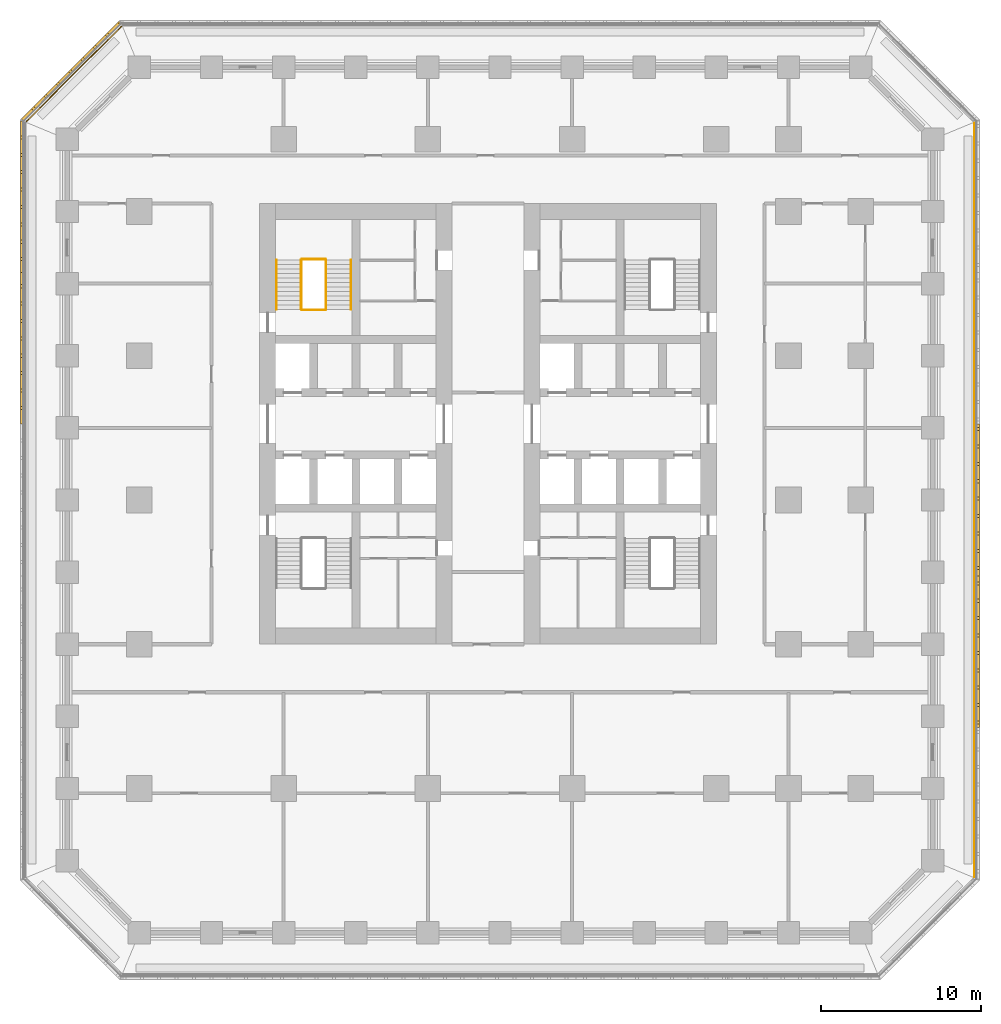
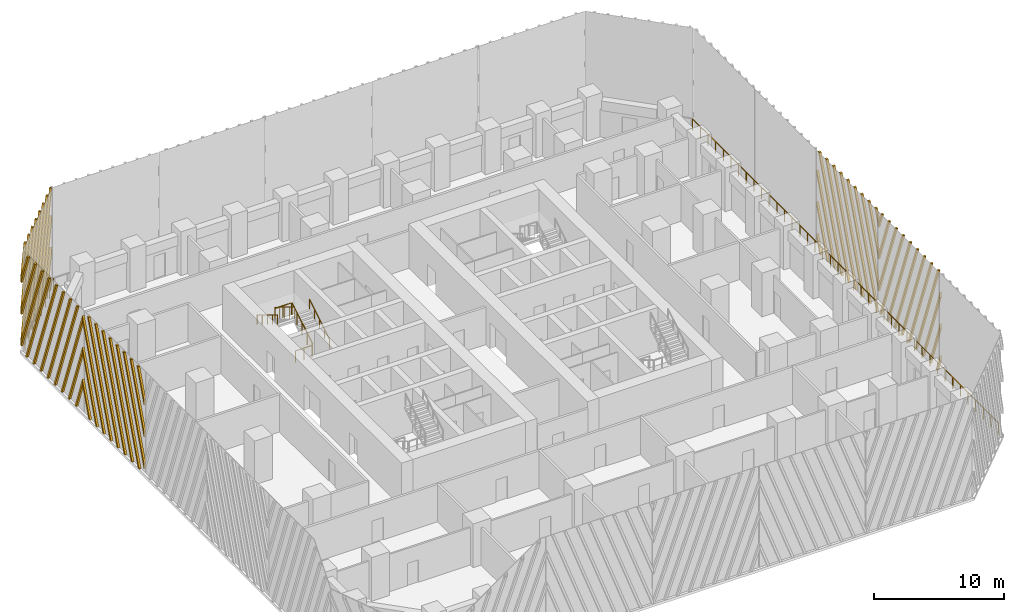
# One storey, part 10 of 13: 8 railings, 5 shading devices.
"""IFC4 building model written with IfcOpenShell, lengths in metres."""

from ifc_helpers import new_model, si_unit, direction, frame, origin, origin_2d, place, context, subcontext, project, spatial, polyline, circle, outline, extrude, source, transform, mapped, material, type_object, element, save


model = new_model("IFC4")

# Units and contexts
model_context = context("Model", 3, precision=1e-05, world=origin(), true_north=direction((0.0, 1.0)))
body_context = subcontext(model_context, "Body", "Model", "MODEL_VIEW")
ifc_project = project(units=[si_unit("LENGTHUNIT", "METRE"), si_unit("AREAUNIT", "SQUARE_METRE"), si_unit("VOLUMEUNIT", "CUBIC_METRE"), si_unit("PLANEANGLEUNIT", "RADIAN"), si_unit("MASSUNIT", "GRAM", prefix="KILO")], contexts=[model_context])

# Site, building, storey
site_placement = place(None, origin())
site = spatial("IfcSite", under=ifc_project, at=site_placement, CompositionType="ELEMENT")
building_placement = place(site_placement, origin())
building = spatial("IfcBuilding", under=site, at=building_placement, Name="Corbel Stack Research Tower", CompositionType="ELEMENT")
storey_placement = place(building_placement, frame((0.0, 0.0, 66.5)))
storey = spatial("IfcBuildingStorey", under=building, at=storey_placement, Name="L15", CompositionType="ELEMENT", Elevation=66.5)

# Railings
ifc_material_1 = material(Name="Steel S355", Category="steel")
railing_type_1 = type_object("IfcRailingType", Name="Stair guard 1100", PredefinedType="GUARDRAIL", material=ifc_material_1)
railing_1_placement = place(storey_placement, frame((-6.35009765625, 11.89990234375, 0.1708984375)))
element("IfcRailing", 1, at=railing_1_placement, inside=storey, type_object=railing_type_1, Name="L15 ST-W2 stair guard 1", PredefinedType="GUARDRAIL", context=body_context, shape_type="SweptSolid", body=[
    extrude(circle(Radius=0.02392578125, at=origin_2d()), frame((0.0, 0.0, 1.076171875), z_axis=(0.0, 0.853666305674, 0.52082035152), x_axis=(-1.0, 0.0, 0.0)), (0.0, 0.0, 1.0), 3.608154296875),
    extrude(circle(Radius=0.02099609375, at=origin_2d()), origin(), (0.0, 0.0, 1.0), 1.052001953125),
    extrude(circle(Radius=0.02099609375, at=origin_2d()), frame((0.0, 0.77001953125, 0.4697265625)), (0.0, 0.0, 1.0), 1.052001953125),
    extrude(circle(Radius=0.02099609375, at=origin_2d()), frame((0.0, 1.5400390625, 0.939453125)), (0.0, 0.0, 1.0), 1.052001953125),
    extrude(circle(Radius=0.02099609375, at=origin_2d()), frame((0.0, 2.31005859375, 1.409423828125)), (0.0, 0.0, 1.0), 1.052001953125),
    extrude(circle(Radius=0.02099609375, at=origin_2d()), frame((0.0, 3.080078125, 1.879150390625)), (0.0, 0.0, 1.0), 1.052001953125),
])
railing_2_placement = place(storey_placement, frame((-6.39990234375, 15.030029296875, 2.050048828125)))
element("IfcRailing", 2, at=railing_2_placement, inside=storey, type_object=railing_type_1, Name="L15 ST-W2 stair guard 2", PredefinedType="GUARDRAIL", context=body_context, shape_type="SweptSolid", body=[
    extrude(circle(Radius=0.02392578125, at=origin_2d()), frame((0.0, 0.0, 1.076171875), z_axis=(-1.0, 0.0, 0.0), x_axis=(0.0, -1.0, 0.0)), (0.0, 0.0, 1.0), 1.4501953125),
    extrude(circle(Radius=0.02099609375, at=origin_2d()), origin(), (0.0, 0.0, 1.0), 1.052001953125),
    extrude(circle(Radius=0.02099609375, at=origin_2d()), frame((-0.72509765625, 0.0, 0.0)), (0.0, 0.0, 1.0), 1.052001953125),
    extrude(circle(Radius=0.02099609375, at=origin_2d()), frame((-1.4501953125, 0.0, 0.0)), (0.0, 0.0, 1.0), 1.052001953125),
])
railing_3_placement = place(storey_placement, frame((-7.89990234375, 14.97998046875, 2.220947265625)))
element("IfcRailing", 3, at=railing_3_placement, inside=storey, type_object=railing_type_1, Name="L15 ST-W2 stair guard 3", PredefinedType="GUARDRAIL", context=body_context, shape_type="SweptSolid", body=[
    extrude(circle(Radius=0.02392578125, at=origin_2d()), frame((0.0, 0.0, 1.076171875), z_axis=(0.0, -0.853666305674, 0.52082035152), x_axis=(1.0, 0.0, 0.0)), (0.0, 0.0, 1.0), 3.608154296875),
    extrude(circle(Radius=0.02099609375, at=origin_2d()), origin(), (0.0, 0.0, 1.0), 1.052001953125),
    extrude(circle(Radius=0.02099609375, at=origin_2d()), frame((0.0, -0.77001953125, 0.4697265625)), (0.0, 0.0, 1.0), 1.052001953125),
    extrude(circle(Radius=0.02099609375, at=origin_2d()), frame((0.0, -1.5400390625, 0.939453125)), (0.0, 0.0, 1.0), 1.052001953125),
    extrude(circle(Radius=0.02099609375, at=origin_2d()), frame((0.0, -2.31005859375, 1.409423828125)), (0.0, 0.0, 1.0), 1.052001953125),
    extrude(circle(Radius=0.02099609375, at=origin_2d()), frame((0.0, -3.080078125, 1.879150390625)), (0.0, 0.0, 1.0), 1.052001953125),
])
railing_4_placement = place(storey_placement, frame((-6.39990234375, 11.85009765625, 0.0)))
element("IfcRailing", 4, at=railing_4_placement, inside=storey, type_object=railing_type_1, Name="L15 ST-W2 stair guard 4", PredefinedType="GUARDRAIL", context=body_context, shape_type="SweptSolid", body=[
    extrude(circle(Radius=0.02392578125, at=origin_2d()), frame((0.0, 0.0, 1.076171875), z_axis=(-1.0, 0.0, 0.0), x_axis=(0.0, -1.0, 0.0)), (0.0, 0.0, 1.0), 1.4501953125),
    extrude(circle(Radius=0.02099609375, at=origin_2d()), origin(), (0.0, 0.0, 1.0), 1.052001953125),
    extrude(circle(Radius=0.02099609375, at=origin_2d()), frame((-0.72509765625, 0.0, 0.0)), (0.0, 0.0, 1.0), 1.052001953125),
    extrude(circle(Radius=0.02099609375, at=origin_2d()), frame((-1.4501953125, 0.0, 0.0)), (0.0, 0.0, 1.0), 1.052001953125),
])
ifc_material_2 = material(Name="Steel S355", Category="steel")
railing_type_2 = type_object("IfcRailingType", Name="Stair handrail 900", PredefinedType="HANDRAIL", material=ifc_material_2)
railing_5_placement = place(storey_placement, frame((-4.800048828125, 11.89990234375, 0.1708984375)))
element("IfcRailing", 5, at=railing_5_placement, inside=storey, type_object=railing_type_2, Name="L15 ST-W2 stair handrail 1", PredefinedType="HANDRAIL", context=body_context, shape_type="SweptSolid", body=[
    extrude(circle(Radius=0.02392578125, at=origin_2d()), frame((0.0, 0.0, 0.8759765625), z_axis=(0.0, 0.853666305674, 0.52082035152), x_axis=(-1.0, 0.0, 0.0)), (0.0, 0.0, 1.0), 3.608154296875),
    extrude(circle(Radius=0.02099609375, at=origin_2d()), origin(), (0.0, 0.0, 1.0), 0.851806640625),
    extrude(circle(Radius=0.02099609375, at=origin_2d()), frame((0.0, 0.77001953125, 0.4697265625)), (0.0, 0.0, 1.0), 0.851806640625),
    extrude(circle(Radius=0.02099609375, at=origin_2d()), frame((0.0, 1.5400390625, 0.939453125)), (0.0, 0.0, 1.0), 0.851806640625),
    extrude(circle(Radius=0.02099609375, at=origin_2d()), frame((0.0, 2.31005859375, 1.409423828125)), (0.0, 0.0, 1.0), 0.851806640625),
    extrude(circle(Radius=0.02099609375, at=origin_2d()), frame((0.0, 3.080078125, 1.879150390625)), (0.0, 0.0, 1.0), 0.851806640625),
])
railing_6_placement = place(storey_placement, frame((-9.449951171875, 14.97998046875, 2.220947265625)))
element("IfcRailing", 6, at=railing_6_placement, inside=storey, type_object=railing_type_2, Name="L15 ST-W2 stair handrail 2", PredefinedType="HANDRAIL", context=body_context, shape_type="SweptSolid", body=[
    extrude(circle(Radius=0.02392578125, at=origin_2d()), frame((0.0, 0.0, 0.8759765625), z_axis=(0.0, -0.853666305674, 0.52082035152), x_axis=(1.0, 0.0, 0.0)), (0.0, 0.0, 1.0), 3.608154296875),
    extrude(circle(Radius=0.02099609375, at=origin_2d()), origin(), (0.0, 0.0, 1.0), 0.851806640625),
    extrude(circle(Radius=0.02099609375, at=origin_2d()), frame((0.0, -0.77001953125, 0.4697265625)), (0.0, 0.0, 1.0), 0.851806640625),
    extrude(circle(Radius=0.02099609375, at=origin_2d()), frame((0.0, -1.5400390625, 0.939453125)), (0.0, 0.0, 1.0), 0.851806640625),
    extrude(circle(Radius=0.02099609375, at=origin_2d()), frame((0.0, -2.31005859375, 1.409423828125)), (0.0, 0.0, 1.0), 0.851806640625),
    extrude(circle(Radius=0.02099609375, at=origin_2d()), frame((0.0, -3.080078125, 1.879150390625)), (0.0, 0.0, 1.0), 0.851806640625),
])
ifc_material_3 = material(Name="Powder-coated steel guard", Category="steel")
railing_type_3 = type_object("IfcRailingType", Name="Steel and glass guard 1100", PredefinedType="GUARDRAIL", material=ifc_material_3)
railing_7_placement = place(storey_placement, frame((34.10009765625, -23.50537109375, 0.0)))
element("IfcRailing", 7, at=railing_7_placement, inside=storey, type_object=railing_type_3, Name="Loggia guard L15 E", PredefinedType="GUARDRAIL", context=body_context, shape_type="SweptSolid", body=[
    extrude(circle(Radius=0.02392578125, at=origin_2d()), frame((0.0, 0.0, 1.076171875), z_axis=(0.0, 1.0, 0.0), x_axis=(-1.0, 0.0, 0.0)), (0.0, 0.0, 1.0), 47.0107421875),
    extrude(circle(Radius=0.02099609375, at=origin_2d()), origin(), (0.0, 0.0, 1.0), 1.052001953125),
    extrude(circle(Radius=0.02099609375, at=origin_2d()), frame((0.0, 1.17529296875, 0.0)), (0.0, 0.0, 1.0), 1.052001953125),
    extrude(circle(Radius=0.02099609375, at=origin_2d()), frame((0.0, 2.3505859375, 0.0)), (0.0, 0.0, 1.0), 1.052001953125),
    extrude(circle(Radius=0.02099609375, at=origin_2d()), frame((0.0, 3.52587890625, 0.0)), (0.0, 0.0, 1.0), 1.052001953125),
    extrude(circle(Radius=0.02099609375, at=origin_2d()), frame((0.0, 4.701171875, 0.0)), (0.0, 0.0, 1.0), 1.052001953125),
    extrude(circle(Radius=0.02099609375, at=origin_2d()), frame((0.0, 5.87646484375, 0.0)), (0.0, 0.0, 1.0), 1.052001953125),
    extrude(circle(Radius=0.02099609375, at=origin_2d()), frame((0.0, 7.051513671875, 0.0)), (0.0, 0.0, 1.0), 1.052001953125),
    extrude(circle(Radius=0.02099609375, at=origin_2d()), frame((0.0, 8.226806640625, 0.0)), (0.0, 0.0, 1.0), 1.052001953125),
    extrude(circle(Radius=0.02099609375, at=origin_2d()), frame((0.0, 9.402099609375, 0.0)), (0.0, 0.0, 1.0), 1.052001953125),
    extrude(circle(Radius=0.02099609375, at=origin_2d()), frame((0.0, 10.577392578125, 0.0)), (0.0, 0.0, 1.0), 1.052001953125),
    extrude(circle(Radius=0.02099609375, at=origin_2d()), frame((0.0, 11.752685546875, 0.0)), (0.0, 0.0, 1.0), 1.052001953125),
    extrude(circle(Radius=0.02099609375, at=origin_2d()), frame((0.0, 12.927978515625, 0.0)), (0.0, 0.0, 1.0), 1.052001953125),
    extrude(circle(Radius=0.02099609375, at=origin_2d()), frame((0.0, 14.103271484375, 0.0)), (0.0, 0.0, 1.0), 1.052001953125),
    extrude(circle(Radius=0.02099609375, at=origin_2d()), frame((0.0, 15.278564453125, 0.0)), (0.0, 0.0, 1.0), 1.052001953125),
    extrude(circle(Radius=0.02099609375, at=origin_2d()), frame((0.0, 16.453857421875, 0.0)), (0.0, 0.0, 1.0), 1.052001953125),
    extrude(circle(Radius=0.02099609375, at=origin_2d()), frame((0.0, 17.62890625, 0.0)), (0.0, 0.0, 1.0), 1.052001953125),
    extrude(circle(Radius=0.02099609375, at=origin_2d()), frame((0.0, 18.80419921875, 0.0)), (0.0, 0.0, 1.0), 1.052001953125),
    extrude(circle(Radius=0.02099609375, at=origin_2d()), frame((0.0, 19.9794921875, 0.0)), (0.0, 0.0, 1.0), 1.052001953125),
    extrude(circle(Radius=0.02099609375, at=origin_2d()), frame((0.0, 21.15478515625, 0.0)), (0.0, 0.0, 1.0), 1.052001953125),
    extrude(circle(Radius=0.02099609375, at=origin_2d()), frame((0.0, 22.330078125, 0.0)), (0.0, 0.0, 1.0), 1.052001953125),
    extrude(circle(Radius=0.02099609375, at=origin_2d()), frame((0.0, 23.50537109375, 0.0)), (0.0, 0.0, 1.0), 1.052001953125),
    extrude(circle(Radius=0.02099609375, at=origin_2d()), frame((0.0, 24.6806640625, 0.0)), (0.0, 0.0, 1.0), 1.052001953125),
    extrude(circle(Radius=0.02099609375, at=origin_2d()), frame((0.0, 25.85595703125, 0.0)), (0.0, 0.0, 1.0), 1.052001953125),
    extrude(circle(Radius=0.02099609375, at=origin_2d()), frame((0.0, 27.03125, 0.0)), (0.0, 0.0, 1.0), 1.052001953125),
    extrude(circle(Radius=0.02099609375, at=origin_2d()), frame((0.0, 28.20654296875, 0.0)), (0.0, 0.0, 1.0), 1.052001953125),
    extrude(circle(Radius=0.02099609375, at=origin_2d()), frame((0.0, 29.3818359375, 0.0)), (0.0, 0.0, 1.0), 1.052001953125),
    extrude(circle(Radius=0.02099609375, at=origin_2d()), frame((0.0, 30.556884765625, 0.0)), (0.0, 0.0, 1.0), 1.052001953125),
    extrude(circle(Radius=0.02099609375, at=origin_2d()), frame((0.0, 31.732177734375, 0.0)), (0.0, 0.0, 1.0), 1.052001953125),
    extrude(circle(Radius=0.02099609375, at=origin_2d()), frame((0.0, 32.907470703125, 0.0)), (0.0, 0.0, 1.0), 1.052001953125),
    extrude(circle(Radius=0.02099609375, at=origin_2d()), frame((0.0, 34.082763671875, 0.0)), (0.0, 0.0, 1.0), 1.052001953125),
    extrude(circle(Radius=0.02099609375, at=origin_2d()), frame((0.0, 35.258056640625, 0.0)), (0.0, 0.0, 1.0), 1.052001953125),
    extrude(circle(Radius=0.02099609375, at=origin_2d()), frame((0.0, 36.433349609375, 0.0)), (0.0, 0.0, 1.0), 1.052001953125),
    extrude(circle(Radius=0.02099609375, at=origin_2d()), frame((0.0, 37.608642578125, 0.0)), (0.0, 0.0, 1.0), 1.052001953125),
    extrude(circle(Radius=0.02099609375, at=origin_2d()), frame((0.0, 38.783935546875, 0.0)), (0.0, 0.0, 1.0), 1.052001953125),
    extrude(circle(Radius=0.02099609375, at=origin_2d()), frame((0.0, 39.959228515625, 0.0)), (0.0, 0.0, 1.0), 1.052001953125),
    extrude(circle(Radius=0.02099609375, at=origin_2d()), frame((0.0, 41.13427734375, 0.0)), (0.0, 0.0, 1.0), 1.052001953125),
    extrude(circle(Radius=0.02099609375, at=origin_2d()), frame((0.0, 42.3095703125, 0.0)), (0.0, 0.0, 1.0), 1.052001953125),
    extrude(circle(Radius=0.02099609375, at=origin_2d()), frame((0.0, 43.48486328125, 0.0)), (0.0, 0.0, 1.0), 1.052001953125),
    extrude(circle(Radius=0.02099609375, at=origin_2d()), frame((0.0, 44.66015625, 0.0)), (0.0, 0.0, 1.0), 1.052001953125),
    extrude(circle(Radius=0.02099609375, at=origin_2d()), frame((0.0, 45.83544921875, 0.0)), (0.0, 0.0, 1.0), 1.052001953125),
    extrude(circle(Radius=0.02099609375, at=origin_2d()), frame((0.0, 47.0107421875, 0.0)), (0.0, 0.0, 1.0), 1.052001953125),
])
railing_8_placement = place(storey_placement, frame((-19.127685546875, 29.54931640625, 0.0)))
element("IfcRailing", 8, at=railing_8_placement, inside=storey, type_object=railing_type_3, Name="Loggia guard L15 NW", PredefinedType="GUARDRAIL", context=body_context, shape_type="SweptSolid", body=[
    extrude(circle(Radius=0.02392578125, at=origin_2d()), frame((0.0, 0.0, 1.076171875), z_axis=(-0.707106781187, -0.707106781187, 0.0), x_axis=(0.707106781187, -0.707106781187, 0.0)), (0.0, 0.0, 1.0), 8.37451171875),
    extrude(circle(Radius=0.02099609375, at=origin_2d()), origin(), (0.0, 0.0, 1.0), 1.052001953125),
    extrude(circle(Radius=0.02099609375, at=origin_2d()), frame((-0.845947265625, -0.845947265625, 0.0)), (0.0, 0.0, 1.0), 1.052001953125),
    extrude(circle(Radius=0.02099609375, at=origin_2d()), frame((-1.69189453125, -1.69189453125, 0.0)), (0.0, 0.0, 1.0), 1.052001953125),
    extrude(circle(Radius=0.02099609375, at=origin_2d()), frame((-2.537841796875, -2.537841796875, 0.0)), (0.0, 0.0, 1.0), 1.052001953125),
    extrude(circle(Radius=0.02099609375, at=origin_2d()), frame((-3.3837890625, -3.3837890625, 0.0)), (0.0, 0.0, 1.0), 1.052001953125),
    extrude(circle(Radius=0.02099609375, at=origin_2d()), frame((-4.229736328125, -4.229736328125, 0.0)), (0.0, 0.0, 1.0), 1.052001953125),
    extrude(circle(Radius=0.02099609375, at=origin_2d()), frame((-5.07568359375, -5.07568359375, 0.0)), (0.0, 0.0, 1.0), 1.052001953125),
    extrude(circle(Radius=0.02099609375, at=origin_2d()), frame((-5.921630859375, -5.921630859375, 0.0)), (0.0, 0.0, 1.0), 1.052001953125),
])

# Shading devices
ifc_material_4 = material(Name="Precast terracotta", Category="masonry")
shading_device_type = type_object("IfcShadingDeviceType", Name="Terracotta screen panel", PredefinedType="USERDEFINED", material=ifc_material_4)
shared_shape_1 = source(origin(), body_context, "Body", "SweptSolid", [
    extrude(outline(polyline([(0.56982421875, 9.5), (0.3798828125, 9.5), (0.0, 8.456298828125), (0.0, 7.93408203125), (0.56982421875, 9.5)])), frame((0.0, 0.0, 0.0), z_axis=(0.0, -1.0, 0.0), x_axis=(1.0, 0.0, 0.0)), (0.0, 0.0, 1.0), 0.179931640625),
    extrude(outline(polyline([(1.654541015625, 9.5), (1.464599609375, 9.5), (0.0, 5.476318359375), (0.0, 4.9541015625), (1.654541015625, 9.5)])), frame((0.0, 0.0, 0.0), z_axis=(0.0, -1.0, 0.0), x_axis=(1.0, 0.0, 0.0)), (0.0, 0.0, 1.0), 0.179931640625),
    extrude(outline(polyline([(2.7392578125, 9.5), (2.54931640625, 9.5), (0.0, 2.49609375), (0.0, 1.97412109375), (2.7392578125, 9.5)])), frame((0.0, 0.0, 0.0), z_axis=(0.0, -1.0, 0.0), x_axis=(1.0, 0.0, 0.0)), (0.0, 0.0, 1.0), 0.179931640625),
    extrude(outline(polyline([(0.3662109375, 0.0), (3.823974609375, 9.5), (3.6337890625, 9.5), (0.17626953125, 0.0), (0.3662109375, 0.0)])), frame((0.0, 0.0, 0.0), z_axis=(0.0, -1.0, 0.0), x_axis=(1.0, 0.0, 0.0)), (0.0, 0.0, 1.0), 0.179931640625),
    extrude(outline(polyline([(1.45068359375, 0.0), (4.908447265625, 9.5), (4.718505859375, 9.5), (1.2607421875, 0.0), (1.45068359375, 0.0)])), frame((0.0, 0.0, 0.0), z_axis=(0.0, -1.0, 0.0), x_axis=(1.0, 0.0, 0.0)), (0.0, 0.0, 1.0), 0.179931640625),
    extrude(outline(polyline([(2.535400390625, 0.0), (5.9931640625, 9.5), (5.80322265625, 9.5), (2.345458984375, 0.0), (2.535400390625, 0.0)])), frame((0.0, 0.0, 0.0), z_axis=(0.0, -1.0, 0.0), x_axis=(1.0, 0.0, 0.0)), (0.0, 0.0, 1.0), 0.179931640625),
    extrude(outline(polyline([(3.6201171875, 0.0), (7.077880859375, 9.5), (6.887939453125, 9.5), (3.43017578125, 0.0), (3.6201171875, 0.0)])), frame((0.0, 0.0, 0.0), z_axis=(0.0, -1.0, 0.0), x_axis=(1.0, 0.0, 0.0)), (0.0, 0.0, 1.0), 0.179931640625),
    extrude(outline(polyline([(4.704833984375, 0.0), (8.16259765625, 9.5), (7.972412109375, 9.5), (4.514892578125, 0.0), (4.704833984375, 0.0)])), frame((0.0, 0.0, 0.0), z_axis=(0.0, -1.0, 0.0), x_axis=(1.0, 0.0, 0.0)), (0.0, 0.0, 1.0), 0.179931640625),
    extrude(outline(polyline([(5.78955078125, 0.0), (9.247314453125, 9.5), (9.05712890625, 9.5), (5.599609375, 0.0), (5.78955078125, 0.0)])), frame((0.0, 0.0, 0.0), z_axis=(0.0, -1.0, 0.0), x_axis=(1.0, 0.0, 0.0)), (0.0, 0.0, 1.0), 0.179931640625),
    extrude(outline(polyline([(6.874267578125, 0.0), (9.45556640625, 7.092529296875), (9.45556640625, 7.614501953125), (6.68408203125, 0.0), (6.874267578125, 0.0)])), frame((0.0, 0.0, 0.0), z_axis=(0.0, -1.0, 0.0), x_axis=(1.0, 0.0, 0.0)), (0.0, 0.0, 1.0), 0.179931640625),
    extrude(outline(polyline([(7.958740234375, 0.0), (9.45556640625, 4.1123046875), (9.45556640625, 4.634521484375), (7.768798828125, 0.0), (7.958740234375, 0.0)])), frame((0.0, 0.0, 0.0), z_axis=(0.0, -1.0, 0.0), x_axis=(1.0, 0.0, 0.0)), (0.0, 0.0, 1.0), 0.179931640625),
    extrude(outline(polyline([(9.04345703125, 0.0), (9.45556640625, 1.13232421875), (9.45556640625, 1.654296875), (8.853515625, 0.0), (9.04345703125, 0.0)])), frame((0.0, 0.0, 0.0), z_axis=(0.0, -1.0, 0.0), x_axis=(1.0, 0.0, 0.0)), (0.0, 0.0, 1.0), 0.179931640625),
])
shading_device_1_placement = place(storey_placement, frame((34.25, -4.727783203125, 0.0), z_axis=(0.0, 0.0, 1.0), x_axis=(0.0, 1.0, 0.0)))
element("IfcShadingDevice", 9, at=shading_device_1_placement, inside=storey, type_object=shading_device_type, Name="Terracotta screen L15 E3", ObjectType="SCREEN", PredefinedType="USERDEFINED", context=body_context, shape_type="MappedRepresentation", body=[
    mapped(shared_shape_1, transform((0.0, 0.0, 0.0))),
])
shared_shape_2 = source(origin(), body_context, "Body", "SweptSolid", [
    extrude(outline(polyline([(0.60205078125, 0.0), (0.0, 1.654296875), (0.0, 1.13232421875), (0.412109375, 0.0), (0.60205078125, 0.0)])), frame((0.0, 0.0, 0.0), z_axis=(0.0, -1.0, 0.0), x_axis=(1.0, 0.0, 0.0)), (0.0, 0.0, 1.0), 0.179931640625),
    extrude(outline(polyline([(1.686767578125, 0.0), (0.0, 4.634521484375), (0.0, 4.1123046875), (1.496826171875, 0.0), (1.686767578125, 0.0)])), frame((0.0, 0.0, 0.0), z_axis=(0.0, -1.0, 0.0), x_axis=(1.0, 0.0, 0.0)), (0.0, 0.0, 1.0), 0.179931640625),
    extrude(outline(polyline([(2.771484375, 0.0), (0.0, 7.614501953125), (0.0, 7.092529296875), (2.58154296875, 0.0), (2.771484375, 0.0)])), frame((0.0, 0.0, 0.0), z_axis=(0.0, -1.0, 0.0), x_axis=(1.0, 0.0, 0.0)), (0.0, 0.0, 1.0), 0.179931640625),
    extrude(outline(polyline([(3.856201171875, 0.0), (0.3984375, 9.5), (0.20849609375, 9.5), (3.666015625, 0.0), (3.856201171875, 0.0)])), frame((0.0, 0.0, 0.0), z_axis=(0.0, -1.0, 0.0), x_axis=(1.0, 0.0, 0.0)), (0.0, 0.0, 1.0), 0.179931640625),
    extrude(outline(polyline([(4.94091796875, 0.0), (1.483154296875, 9.5), (1.293212890625, 9.5), (4.750732421875, 0.0), (4.94091796875, 0.0)])), frame((0.0, 0.0, 0.0), z_axis=(0.0, -1.0, 0.0), x_axis=(1.0, 0.0, 0.0)), (0.0, 0.0, 1.0), 0.179931640625),
    extrude(outline(polyline([(6.025390625, 0.0), (2.56787109375, 9.5), (2.377685546875, 9.5), (5.83544921875, 0.0), (6.025390625, 0.0)])), frame((0.0, 0.0, 0.0), z_axis=(0.0, -1.0, 0.0), x_axis=(1.0, 0.0, 0.0)), (0.0, 0.0, 1.0), 0.179931640625),
    extrude(outline(polyline([(7.110107421875, 0.0), (3.65234375, 9.5), (3.46240234375, 9.5), (6.920166015625, 0.0), (7.110107421875, 0.0)])), frame((0.0, 0.0, 0.0), z_axis=(0.0, -1.0, 0.0), x_axis=(1.0, 0.0, 0.0)), (0.0, 0.0, 1.0), 0.179931640625),
    extrude(outline(polyline([(8.19482421875, 0.0), (4.737060546875, 9.5), (4.547119140625, 9.5), (8.0048828125, 0.0), (8.19482421875, 0.0)])), frame((0.0, 0.0, 0.0), z_axis=(0.0, -1.0, 0.0), x_axis=(1.0, 0.0, 0.0)), (0.0, 0.0, 1.0), 0.179931640625),
    extrude(outline(polyline([(9.279541015625, 0.0), (5.82177734375, 9.5), (5.6318359375, 9.5), (9.089599609375, 0.0), (9.279541015625, 0.0)])), frame((0.0, 0.0, 0.0), z_axis=(0.0, -1.0, 0.0), x_axis=(1.0, 0.0, 0.0)), (0.0, 0.0, 1.0), 0.179931640625),
    extrude(outline(polyline([(6.906494140625, 9.5), (6.71630859375, 9.5), (9.45556640625, 1.97412109375), (9.45556640625, 2.49609375), (6.906494140625, 9.5)])), frame((0.0, 0.0, 0.0), z_axis=(0.0, -1.0, 0.0), x_axis=(1.0, 0.0, 0.0)), (0.0, 0.0, 1.0), 0.179931640625),
    extrude(outline(polyline([(7.9912109375, 9.5), (7.801025390625, 9.5), (9.45556640625, 4.9541015625), (9.45556640625, 5.476318359375), (7.9912109375, 9.5)])), frame((0.0, 0.0, 0.0), z_axis=(0.0, -1.0, 0.0), x_axis=(1.0, 0.0, 0.0)), (0.0, 0.0, 1.0), 0.179931640625),
    extrude(outline(polyline([(9.07568359375, 9.5), (8.8857421875, 9.5), (9.45556640625, 7.93408203125), (9.45556640625, 8.456298828125), (9.07568359375, 9.5)])), frame((0.0, 0.0, 0.0), z_axis=(0.0, -1.0, 0.0), x_axis=(1.0, 0.0, 0.0)), (0.0, 0.0, 1.0), 0.179931640625),
])
shading_device_2_placement = place(storey_placement, frame((34.25, -14.18359375, 0.0), z_axis=(0.0, 0.0, 1.0), x_axis=(0.0, 1.0, 0.0)))
element("IfcShadingDevice", 10, at=shading_device_2_placement, inside=storey, type_object=shading_device_type, Name="Terracotta screen L15 E2", ObjectType="SCREEN", PredefinedType="USERDEFINED", context=body_context, shape_type="MappedRepresentation", body=[
    mapped(shared_shape_2, transform((0.0, 0.0, 0.0))),
])
shared_shape_3 = source(origin(), body_context, "Body", "SweptSolid", [
    extrude(outline(polyline([(0.3310546875, 0.0), (0.0, 0.9091796875), (0.0, 0.38720703125), (0.14111328125, 0.0), (0.3310546875, 0.0)])), frame((0.0, 0.0, 0.0), z_axis=(0.0, -1.0, 0.0), x_axis=(1.0, 0.0, 0.0)), (0.0, 0.0, 1.0), 0.179931640625),
    extrude(outline(polyline([(1.41552734375, 0.0), (0.0, 3.889404296875), (0.0, 3.367431640625), (1.2255859375, 0.0), (1.41552734375, 0.0)])), frame((0.0, 0.0, 0.0), z_axis=(0.0, -1.0, 0.0), x_axis=(1.0, 0.0, 0.0)), (0.0, 0.0, 1.0), 0.179931640625),
    extrude(outline(polyline([(2.500244140625, 0.0), (0.0, 6.869384765625), (0.0, 6.347412109375), (2.310302734375, 0.0), (2.500244140625, 0.0)])), frame((0.0, 0.0, 0.0), z_axis=(0.0, -1.0, 0.0), x_axis=(1.0, 0.0, 0.0)), (0.0, 0.0, 1.0), 0.179931640625),
    extrude(outline(polyline([(3.5849609375, 0.0), (0.127197265625, 9.5), (0.0, 9.5), (0.0, 9.32763671875), (3.39501953125, 0.0), (3.5849609375, 0.0)])), frame((0.0, 0.0, 0.0), z_axis=(0.0, -1.0, 0.0), x_axis=(1.0, 0.0, 0.0)), (0.0, 0.0, 1.0), 0.179931640625),
    extrude(outline(polyline([(4.669677734375, 0.0), (1.2119140625, 9.5), (1.02197265625, 9.5), (4.4794921875, 0.0), (4.669677734375, 0.0)])), frame((0.0, 0.0, 0.0), z_axis=(0.0, -1.0, 0.0), x_axis=(1.0, 0.0, 0.0)), (0.0, 0.0, 1.0), 0.179931640625),
    extrude(outline(polyline([(5.75439453125, 0.0), (2.296630859375, 9.5), (2.106689453125, 9.5), (5.564208984375, 0.0), (5.75439453125, 0.0)])), frame((0.0, 0.0, 0.0), z_axis=(0.0, -1.0, 0.0), x_axis=(1.0, 0.0, 0.0)), (0.0, 0.0, 1.0), 0.179931640625),
    extrude(outline(polyline([(6.839111328125, 0.0), (3.38134765625, 9.5), (3.19140625, 9.5), (6.64892578125, 0.0), (6.839111328125, 0.0)])), frame((0.0, 0.0, 0.0), z_axis=(0.0, -1.0, 0.0), x_axis=(1.0, 0.0, 0.0)), (0.0, 0.0, 1.0), 0.179931640625),
    extrude(outline(polyline([(7.923583984375, 0.0), (4.4658203125, 9.5), (4.27587890625, 9.5), (7.733642578125, 0.0), (7.923583984375, 0.0)])), frame((0.0, 0.0, 0.0), z_axis=(0.0, -1.0, 0.0), x_axis=(1.0, 0.0, 0.0)), (0.0, 0.0, 1.0), 0.179931640625),
    extrude(outline(polyline([(5.550537109375, 9.5), (5.360595703125, 9.5), (8.64208984375, 0.48388671875), (8.64208984375, 1.006103515625), (5.550537109375, 9.5)])), frame((0.0, 0.0, 0.0), z_axis=(0.0, -1.0, 0.0), x_axis=(1.0, 0.0, 0.0)), (0.0, 0.0, 1.0), 0.179931640625),
    extrude(outline(polyline([(6.63525390625, 9.5), (6.4453125, 9.5), (8.64208984375, 3.464111328125), (8.64208984375, 3.986083984375), (6.63525390625, 9.5)])), frame((0.0, 0.0, 0.0), z_axis=(0.0, -1.0, 0.0), x_axis=(1.0, 0.0, 0.0)), (0.0, 0.0, 1.0), 0.179931640625),
    extrude(outline(polyline([(7.719970703125, 9.5), (7.52978515625, 9.5), (8.64208984375, 6.444091796875), (8.64208984375, 6.96630859375), (7.719970703125, 9.5)])), frame((0.0, 0.0, 0.0), z_axis=(0.0, -1.0, 0.0), x_axis=(1.0, 0.0, 0.0)), (0.0, 0.0, 1.0), 0.179931640625),
])
shading_device_3_placement = place(storey_placement, frame((-19.13916015625, 29.75, 0.0), z_axis=(0.0, 0.0, 1.0), x_axis=(-0.707106781187, -0.707106781187, 0.0)))
element("IfcShadingDevice", 11, at=shading_device_3_placement, inside=storey, type_object=shading_device_type, Name="Terracotta screen L15 NW1", ObjectType="SCREEN", PredefinedType="USERDEFINED", context=body_context, shape_type="MappedRepresentation", body=[
    mapped(shared_shape_3, transform((0.0, 0.0, 0.0))),
])
shared_shape_4 = source(origin(), body_context, "Body", "SweptSolid", [
    extrude(outline(polyline([(1.1123046875, 9.5), (0.922119140625, 9.5), (0.0, 6.96630859375), (0.0, 6.444091796875), (1.1123046875, 9.5)])), frame((0.0, 0.0, 0.0), z_axis=(0.0, -1.0, 0.0), x_axis=(1.0, 0.0, 0.0)), (0.0, 0.0, 1.0), 0.179931640625),
    extrude(outline(polyline([(2.197021484375, 9.5), (2.0068359375, 9.5), (0.0, 3.986083984375), (0.0, 3.464111328125), (2.197021484375, 9.5)])), frame((0.0, 0.0, 0.0), z_axis=(0.0, -1.0, 0.0), x_axis=(1.0, 0.0, 0.0)), (0.0, 0.0, 1.0), 0.179931640625),
    extrude(outline(polyline([(3.281494140625, 9.5), (3.091552734375, 9.5), (0.0, 1.006103515625), (0.0, 0.48388671875), (3.281494140625, 9.5)])), frame((0.0, 0.0, 0.0), z_axis=(0.0, -1.0, 0.0), x_axis=(1.0, 0.0, 0.0)), (0.0, 0.0, 1.0), 0.179931640625),
    extrude(outline(polyline([(0.908447265625, 0.0), (4.3662109375, 9.5), (4.17626953125, 9.5), (0.718505859375, 0.0), (0.908447265625, 0.0)])), frame((0.0, 0.0, 0.0), z_axis=(0.0, -1.0, 0.0), x_axis=(1.0, 0.0, 0.0)), (0.0, 0.0, 1.0), 0.179931640625),
    extrude(outline(polyline([(1.9931640625, 0.0), (5.450927734375, 9.5), (5.260986328125, 9.5), (1.80322265625, 0.0), (1.9931640625, 0.0)])), frame((0.0, 0.0, 0.0), z_axis=(0.0, -1.0, 0.0), x_axis=(1.0, 0.0, 0.0)), (0.0, 0.0, 1.0), 0.179931640625),
    extrude(outline(polyline([(3.077880859375, 0.0), (6.535400390625, 9.5), (6.345458984375, 9.5), (2.8876953125, 0.0), (3.077880859375, 0.0)])), frame((0.0, 0.0, 0.0), z_axis=(0.0, -1.0, 0.0), x_axis=(1.0, 0.0, 0.0)), (0.0, 0.0, 1.0), 0.179931640625),
    extrude(outline(polyline([(4.16259765625, 0.0), (7.6201171875, 9.5), (7.43017578125, 9.5), (3.972412109375, 0.0), (4.16259765625, 0.0)])), frame((0.0, 0.0, 0.0), z_axis=(0.0, -1.0, 0.0), x_axis=(1.0, 0.0, 0.0)), (0.0, 0.0, 1.0), 0.179931640625),
    extrude(outline(polyline([(5.247314453125, 0.0), (8.704833984375, 9.5), (8.514892578125, 9.5), (5.05712890625, 0.0), (5.247314453125, 0.0)])), frame((0.0, 0.0, 0.0), z_axis=(0.0, -1.0, 0.0), x_axis=(1.0, 0.0, 0.0)), (0.0, 0.0, 1.0), 0.179931640625),
    extrude(outline(polyline([(6.331787109375, 0.0), (9.45556640625, 8.58251953125), (9.45556640625, 9.1044921875), (6.141845703125, 0.0), (6.331787109375, 0.0)])), frame((0.0, 0.0, 0.0), z_axis=(0.0, -1.0, 0.0), x_axis=(1.0, 0.0, 0.0)), (0.0, 0.0, 1.0), 0.179931640625),
    extrude(outline(polyline([(7.41650390625, 0.0), (9.45556640625, 5.6025390625), (9.45556640625, 6.12451171875), (7.2265625, 0.0), (7.41650390625, 0.0)])), frame((0.0, 0.0, 0.0), z_axis=(0.0, -1.0, 0.0), x_axis=(1.0, 0.0, 0.0)), (0.0, 0.0, 1.0), 0.179931640625),
    extrude(outline(polyline([(8.501220703125, 0.0), (9.45556640625, 2.622314453125), (9.45556640625, 3.144287109375), (8.311279296875, 0.0), (8.501220703125, 0.0)])), frame((0.0, 0.0, 0.0), z_axis=(0.0, -1.0, 0.0), x_axis=(1.0, 0.0, 0.0)), (0.0, 0.0, 1.0), 0.179931640625),
])
shading_device_4_placement = place(storey_placement, frame((-25.25, 23.63916015625, 0.0), z_axis=(0.0, 0.0, 1.0), x_axis=(0.0, -1.0, 0.0)))
element("IfcShadingDevice", 12, at=shading_device_4_placement, inside=storey, type_object=shading_device_type, Name="Terracotta screen L15 W1", ObjectType="SCREEN", PredefinedType="USERDEFINED", context=body_context, shape_type="MappedRepresentation", body=[
    mapped(shared_shape_4, transform((0.0, 0.0, 0.0))),
])
shared_shape_5 = source(origin(), body_context, "Body", "SweptSolid", [
    extrude(outline(polyline([(1.14453125, 0.0), (0.0, 3.144287109375), (0.0, 2.622314453125), (0.95458984375, 0.0), (1.14453125, 0.0)])), frame((0.0, 0.0, 0.0), z_axis=(0.0, -1.0, 0.0), x_axis=(1.0, 0.0, 0.0)), (0.0, 0.0, 1.0), 0.179931640625),
    extrude(outline(polyline([(2.22900390625, 0.0), (0.0, 6.12451171875), (0.0, 5.6025390625), (2.0390625, 0.0), (2.22900390625, 0.0)])), frame((0.0, 0.0, 0.0), z_axis=(0.0, -1.0, 0.0), x_axis=(1.0, 0.0, 0.0)), (0.0, 0.0, 1.0), 0.179931640625),
    extrude(outline(polyline([(3.313720703125, 0.0), (0.0, 9.1044921875), (0.0, 8.58251953125), (3.123779296875, 0.0), (3.313720703125, 0.0)])), frame((0.0, 0.0, 0.0), z_axis=(0.0, -1.0, 0.0), x_axis=(1.0, 0.0, 0.0)), (0.0, 0.0, 1.0), 0.179931640625),
    extrude(outline(polyline([(4.3984375, 0.0), (0.94091796875, 9.5), (0.750732421875, 9.5), (4.20849609375, 0.0), (4.3984375, 0.0)])), frame((0.0, 0.0, 0.0), z_axis=(0.0, -1.0, 0.0), x_axis=(1.0, 0.0, 0.0)), (0.0, 0.0, 1.0), 0.179931640625),
    extrude(outline(polyline([(5.483154296875, 0.0), (2.025390625, 9.5), (1.83544921875, 9.5), (5.293212890625, 0.0), (5.483154296875, 0.0)])), frame((0.0, 0.0, 0.0), z_axis=(0.0, -1.0, 0.0), x_axis=(1.0, 0.0, 0.0)), (0.0, 0.0, 1.0), 0.179931640625),
    extrude(outline(polyline([(6.56787109375, 0.0), (3.110107421875, 9.5), (2.920166015625, 9.5), (6.377685546875, 0.0), (6.56787109375, 0.0)])), frame((0.0, 0.0, 0.0), z_axis=(0.0, -1.0, 0.0), x_axis=(1.0, 0.0, 0.0)), (0.0, 0.0, 1.0), 0.179931640625),
    extrude(outline(polyline([(7.652587890625, 0.0), (4.19482421875, 9.5), (4.0048828125, 9.5), (7.46240234375, 0.0), (7.652587890625, 0.0)])), frame((0.0, 0.0, 0.0), z_axis=(0.0, -1.0, 0.0), x_axis=(1.0, 0.0, 0.0)), (0.0, 0.0, 1.0), 0.179931640625),
    extrude(outline(polyline([(8.737060546875, 0.0), (5.279296875, 9.5), (5.08935546875, 9.5), (8.547119140625, 0.0), (8.737060546875, 0.0)])), frame((0.0, 0.0, 0.0), z_axis=(0.0, -1.0, 0.0), x_axis=(1.0, 0.0, 0.0)), (0.0, 0.0, 1.0), 0.179931640625),
    extrude(outline(polyline([(6.364013671875, 9.5), (6.174072265625, 9.5), (9.45556640625, 0.48388671875), (9.45556640625, 1.006103515625), (6.364013671875, 9.5)])), frame((0.0, 0.0, 0.0), z_axis=(0.0, -1.0, 0.0), x_axis=(1.0, 0.0, 0.0)), (0.0, 0.0, 1.0), 0.179931640625),
    extrude(outline(polyline([(7.44873046875, 9.5), (7.2587890625, 9.5), (9.45556640625, 3.464111328125), (9.45556640625, 3.986083984375), (7.44873046875, 9.5)])), frame((0.0, 0.0, 0.0), z_axis=(0.0, -1.0, 0.0), x_axis=(1.0, 0.0, 0.0)), (0.0, 0.0, 1.0), 0.179931640625),
    extrude(outline(polyline([(8.533447265625, 9.5), (8.343505859375, 9.5), (9.45556640625, 6.444091796875), (9.45556640625, 6.96630859375), (8.533447265625, 9.5)])), frame((0.0, 0.0, 0.0), z_axis=(0.0, -1.0, 0.0), x_axis=(1.0, 0.0, 0.0)), (0.0, 0.0, 1.0), 0.179931640625),
])
shading_device_5_placement = place(storey_placement, frame((-25.25, 14.18359375, 0.0), z_axis=(0.0, 0.0, 1.0), x_axis=(0.0, -1.0, 0.0)))
element("IfcShadingDevice", 13, at=shading_device_5_placement, inside=storey, type_object=shading_device_type, Name="Terracotta screen L15 W2", ObjectType="SCREEN", PredefinedType="USERDEFINED", context=body_context, shape_type="MappedRepresentation", body=[
    mapped(shared_shape_5, transform((0.0, 0.0, 0.0))),
])

save(model, "model.ifc")
